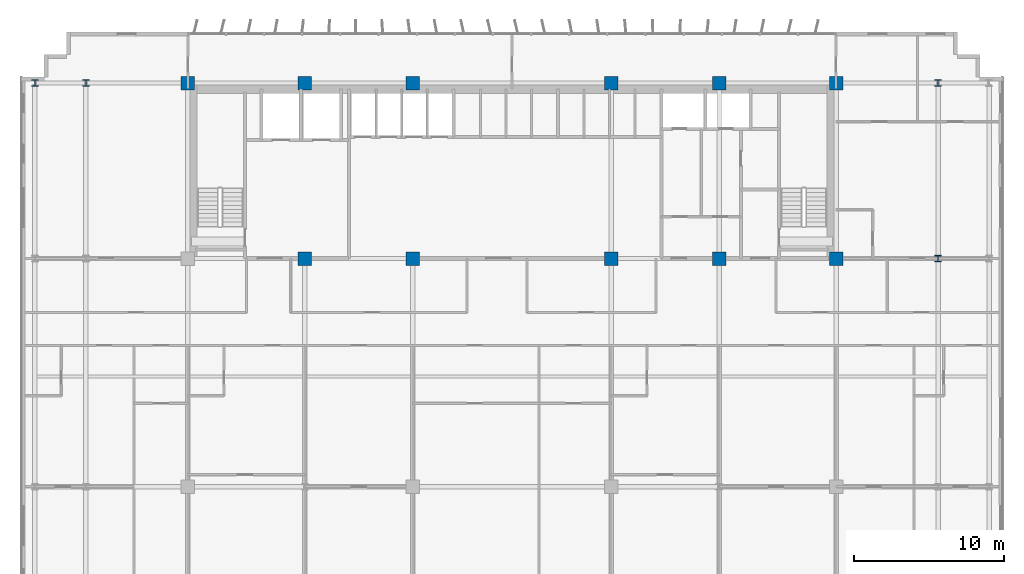
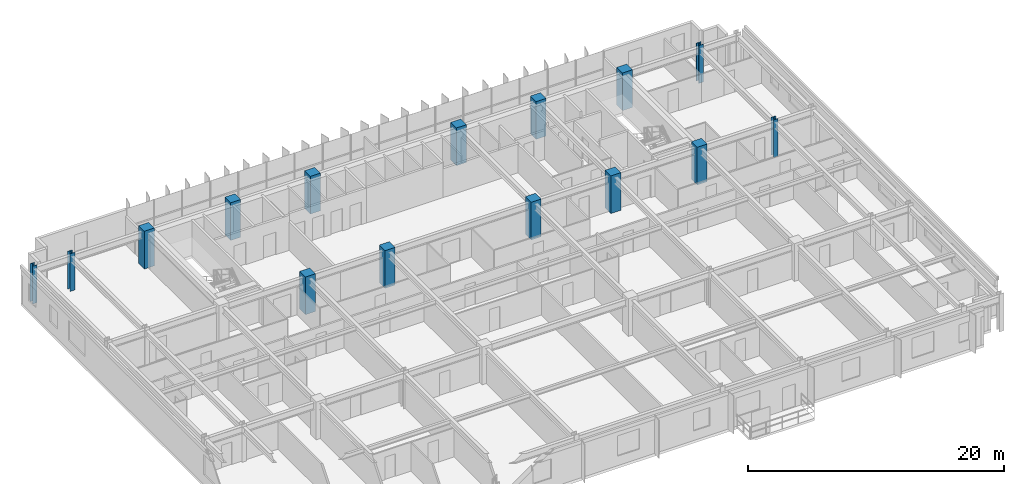
# One storey, part 2 of 22: 15 columns.
"""IFC4 building model written with IfcOpenShell, lengths in metres."""

from ifc_helpers import new_model, si_unit, direction, frame, origin, origin_2d, place, context, subcontext, project, spatial, rectangle, i_section, extrude, source, transform, mapped, material, material_profile, profile_set, type_object, element, save


model = new_model("IFC4")

# Units and contexts
model_context = context("Model", 3, precision=1e-05, world=origin(), true_north=direction((0.0, 1.0)))
body_context = subcontext(model_context, "Body", "Model", "MODEL_VIEW")
ifc_project = project(units=[si_unit("LENGTHUNIT", "METRE"), si_unit("AREAUNIT", "SQUARE_METRE"), si_unit("VOLUMEUNIT", "CUBIC_METRE"), si_unit("PLANEANGLEUNIT", "RADIAN"), si_unit("MASSUNIT", "GRAM", prefix="KILO")], contexts=[model_context])

# Site, building, storey
site_placement = place(None, origin())
site = spatial("IfcSite", under=ifc_project, at=site_placement, CompositionType="ELEMENT")
building_placement = place(site_placement, origin())
building = spatial("IfcBuilding", under=site, at=building_placement, Name="Trelvane Seafront Commons", CompositionType="ELEMENT")
storey_placement = place(building_placement, frame((0.0, 0.0, 48.699951171875)))
storey = spatial("IfcBuildingStorey", under=building, at=storey_placement, Name="L12", CompositionType="ELEMENT", Elevation=48.699951171875)

# Columns
ifc_material_1 = material(Name="Steel SM355 (S355)", Category="steel")
ifc_material_profile_1 = material_profile(ifc_material_1, i_section(OverallWidth=0.419921875, OverallDepth=0.419921875, WebThickness=0.02587890625, FlangeThickness=0.0400390625, at=origin_2d()), Name="HD-420x420x26x40")
ifc_profile_set_1 = profile_set([ifc_material_profile_1], Name="Steel SM355 (S355)")
column_type_1 = type_object("IfcColumnType", Name="STR-COL-HD420", PredefinedType="COLUMN", material=ifc_profile_set_1)
shared_shape_1 = source(origin(), body_context, "Body", "SweptSolid", [
    extrude(i_section(OverallWidth=0.419921875, OverallDepth=0.419921875, WebThickness=0.02587890625, FlangeThickness=0.0400390625, at=origin_2d()), origin(), (0.0, 0.0, 1.0), 3.60009765625),
])
for number, where, z_axis, x_axis, name in (
    (1, (5.39990234375, 45.10009765625, 0.0), (0.0, 0.0, 1.0), (1.0, 0.0, 0.0), "L12 Column TC-CN5.4"),
    (2, (8.800048828125, 45.10009765625, 0.0), (0.0, 0.0, 1.0), (1.0, 0.0, 0.0), "L12 Column TC-CN8.8"),
    (3, (65.60009765625, 33.39990234375, 0.0), (0.0, 0.0, 1.0), (1.0, 0.0, 0.0), "L12 Column TC-CS65.6"),
    (4, (65.60009765625, 45.10009765625, 0.0), (0.0, 0.0, 1.0), (1.0, 0.0, 0.0), "L12 Column TC-CN65.6"),
):
    element("IfcColumn", number, at=place(storey_placement, frame(where, z_axis=z_axis, x_axis=x_axis)), inside=storey, type_object=column_type_1, Name=name, PredefinedType="COLUMN", context=body_context, shape_type="MappedRepresentation", body=[
        mapped(shared_shape_1, transform((0.0, 0.0, 0.0), x_axis=(1.0, 0.0, 0.0), y_axis=(0.0, 1.0, 0.0), z_axis=(0.0, 0.0, 1.0), scale=1.0)),
    ])
ifc_material_2 = material(Name="Concrete C60/75", Category="concrete")
ifc_material_profile_2 = material_profile(ifc_material_2, rectangle(XDim=0.89990234375, YDim=0.89990234375, at=origin_2d()), Name="RC-900x900")
ifc_profile_set_2 = profile_set([ifc_material_profile_2], Name="Concrete C60/75")
column_type_2 = type_object("IfcColumnType", Name="STR-COL-RC900", PredefinedType="COLUMN", material=ifc_profile_set_2)
shared_shape_2 = source(origin(), body_context, "Body", "SweptSolid", [
    extrude(rectangle(XDim=0.89990234375, YDim=0.89990234375, at=origin_2d()), origin(), (0.0, 0.0, 1.0), 3.60009765625),
])
for number, where, z_axis, x_axis, name in (
    (5, (15.60009765625, 45.10009765625, 0.0), (0.0, 0.0, 1.0), (1.0, 0.0, 0.0), "L12 Column TC-CN15.6"),
    (6, (23.39990234375, 33.39990234375, 0.0), (0.0, 0.0, 1.0), (1.0, 0.0, 0.0), "L12 Column TC-CS23.4"),
    (7, (23.39990234375, 45.10009765625, 0.0), (0.0, 0.0, 1.0), (1.0, 0.0, 0.0), "L12 Column TC-CN23.4"),
    (8, (30.60009765625, 33.39990234375, 0.0), (0.0, 0.0, 1.0), (1.0, 0.0, 0.0), "L12 Column TC-CS30.6"),
    (9, (30.60009765625, 45.10009765625, 0.0), (0.0, 0.0, 1.0), (1.0, 0.0, 0.0), "L12 Column TC-CN30.6"),
    (10, (43.800048828125, 33.39990234375, 0.0), (0.0, 0.0, 1.0), (1.0, 0.0, 0.0), "L12 Column TC-CS43.8"),
    (11, (43.800048828125, 45.10009765625, 0.0), (0.0, 0.0, 1.0), (1.0, 0.0, 0.0), "L12 Column TC-CN43.8"),
    (12, (51.0, 33.39990234375, 0.0), (0.0, 0.0, 1.0), (1.0, 0.0, 0.0), "L12 Column TC-CS51.0"),
    (13, (51.0, 45.10009765625, 0.0), (0.0, 0.0, 1.0), (1.0, 0.0, 0.0), "L12 Column TC-CN51.0"),
    (14, (58.800048828125, 33.39990234375, 0.0), (0.0, 0.0, 1.0), (1.0, 0.0, 0.0), "L12 Column TC-CS58.8"),
    (15, (58.800048828125, 45.10009765625, 0.0), (0.0, 0.0, 1.0), (1.0, 0.0, 0.0), "L12 Column TC-CN58.8"),
):
    element("IfcColumn", number, at=place(storey_placement, frame(where, z_axis=z_axis, x_axis=x_axis)), inside=storey, type_object=column_type_2, Name=name, PredefinedType="COLUMN", context=body_context, shape_type="MappedRepresentation", body=[
        mapped(shared_shape_2, transform((0.0, 0.0, 0.0), x_axis=(1.0, 0.0, 0.0), y_axis=(0.0, 1.0, 0.0), z_axis=(0.0, 0.0, 1.0), scale=1.0)),
    ])

save(model, "model.ifc")
